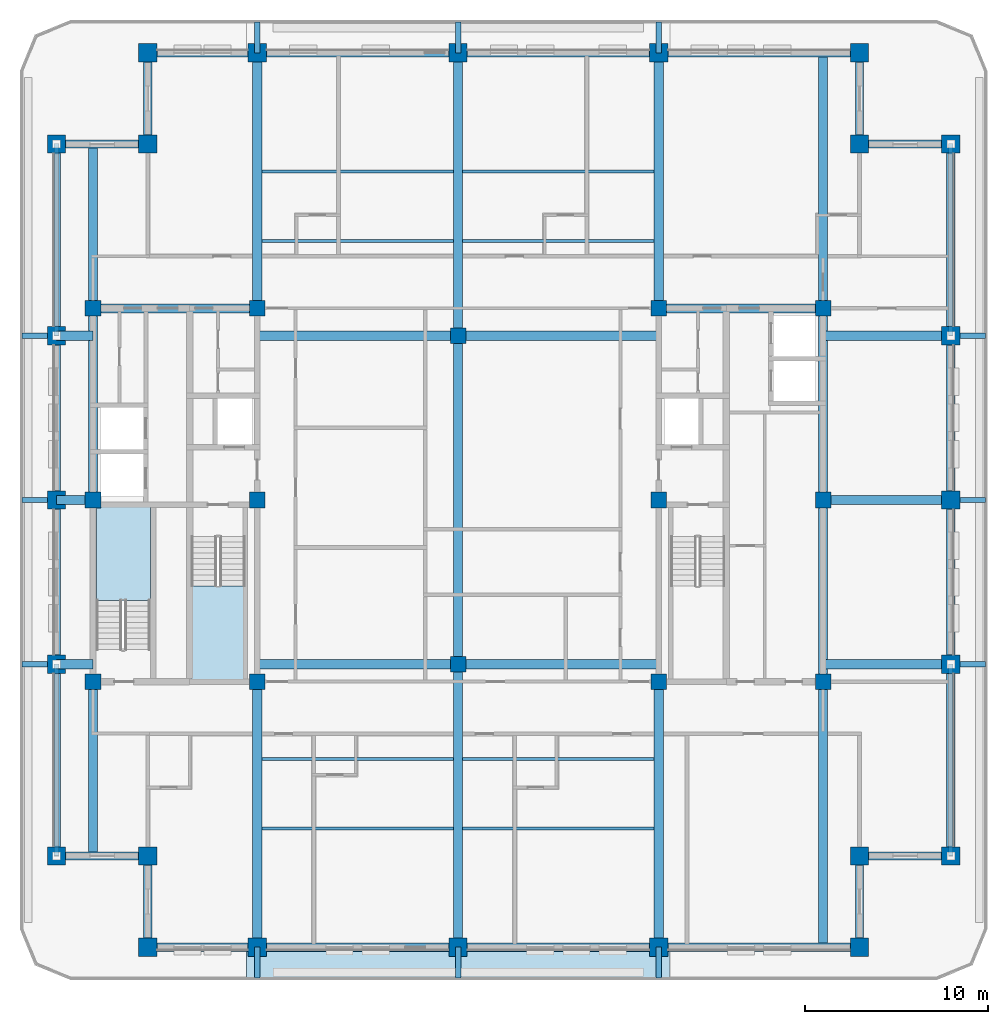
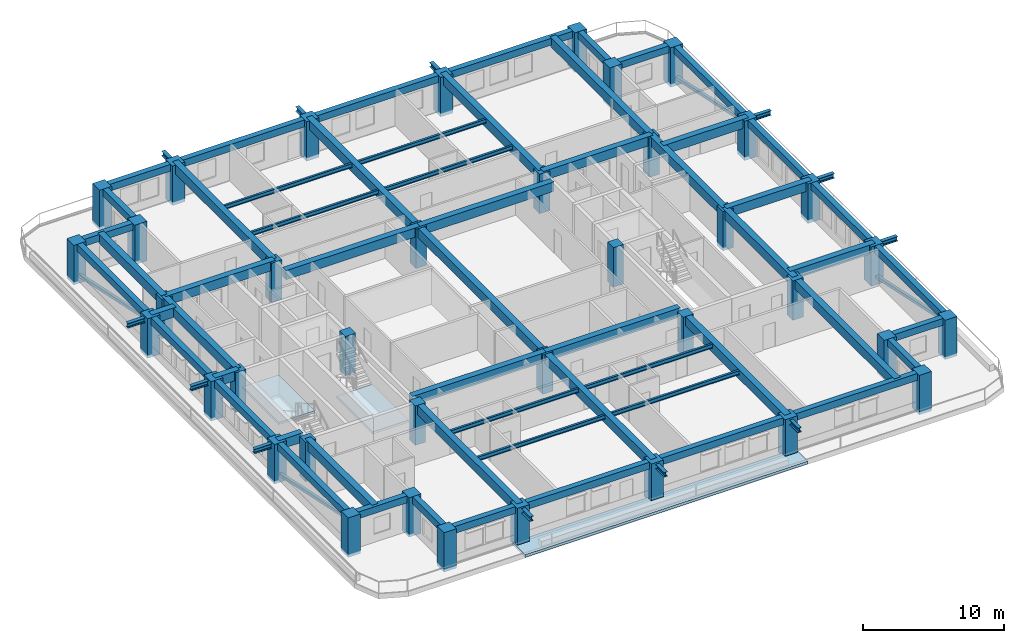
# One storey, part 1 of 13: 70 beams, 38 columns, 4 members, 3 slabs, 2 elements without a shape of their own.
"""IFC4 building model written with IfcOpenShell, lengths in metres."""

import ifcopenshell
import ifcopenshell.guid

model = None  # the IFC model being written
_history = None  # IfcOwnerHistory: only IFC2X3 demands one
_inside = {}  # id of a spatial element -> (the spatial element, [elements in it])
_under = {}  # id of a project, library or spatial element -> (it, [spatial elements below it])
_declared = {}  # id of a project -> (the project, [libraries it declares])
_typed = {}  # id of a type object -> (the type object, [elements of that type])
_made_of = {}  # id of a material, layer set ... -> (it, [elements and type objects made of it])


def new_model(schema):
    """Start an empty IFC model of exactly this schema.

    Asked for "IFC4X3", IfcOpenShell would pick the latest addendum, in which some entities
    have other attributes; the version numbers below select the first issue.
    IFC2X3 requires an IfcOwnerHistory on every rooted entity: one is made here for all.
    """
    global model, _history
    if schema == "IFC4X3":
        model = ifcopenshell.file(schema_version=(4, 3, 0, 0))
    else:
        model = ifcopenshell.file(schema=schema)
    _inside.clear()
    _under.clear()
    _declared.clear()
    _typed.clear()
    _made_of.clear()
    _history = None
    if model.schema == "IFC2X3":
        org = make("IfcOrganization", Name="unknown")
        user = make(
            "IfcPersonAndOrganization",
            ThePerson=make("IfcPerson", FamilyName="unknown"),
            TheOrganization=org,
        )
        app = make(
            "IfcApplication",
            ApplicationDeveloper=org,
            Version="unknown",
            ApplicationFullName="unknown",
            ApplicationIdentifier="unknown",
        )
        _history = make(
            "IfcOwnerHistory",
            OwningUser=user,
            OwningApplication=app,
            ChangeAction="ADDED",
            CreationDate=0,
        )
    return model


def make(cls, **values):
    """One entity of the class cls with the attributes given. An attribute that is None is left unset."""
    return model.create_entity(
        cls, **{name: value for name, value in values.items() if value is not None}
    )


def rooted(cls, **values):
    """An entity with a GlobalId (a new one), such as an element, a storey or a relation."""
    return make(cls, GlobalId=ifcopenshell.guid.new(), OwnerHistory=_history, **values)


def si_unit(unit_type, name, prefix=None):
    """IfcSIUnit, for example si_unit("LENGTHUNIT", "METRE", prefix="MILLI")."""
    return make("IfcSIUnit", UnitType=unit_type, Prefix=prefix, Name=name)


def assignment(units):
    """IfcUnitAssignment: the units of a project."""
    return None if units is None else make("IfcUnitAssignment", Units=units)


def point(xyz):
    """IfcCartesianPoint."""
    return None if xyz is None else make("IfcCartesianPoint", Coordinates=xyz)


def direction(xyz):
    """IfcDirection."""
    return None if xyz is None else make("IfcDirection", DirectionRatios=xyz)


def frame(location, z_axis=None, x_axis=None):
    """IfcAxis2Placement3D, a coordinate frame: its origin and axes. An axis left out is left unset."""
    return make(
        "IfcAxis2Placement3D",
        Location=point(location),
        Axis=direction(z_axis),
        RefDirection=direction(x_axis),
    )


def frame_2d(location, x_axis=None):
    """IfcAxis2Placement2D, a coordinate frame in the plane: its origin and x axis."""
    return make(
        "IfcAxis2Placement2D", Location=point(location), RefDirection=direction(x_axis)
    )


def origin():
    """The frame at (0, 0, 0) with its axes left unset."""
    return frame((0.0, 0.0, 0.0))


def origin_2d():
    """The frame at (0, 0) in the plane with its x axis left unset."""
    return frame_2d((0.0, 0.0))


def place(relative_to, where):
    """IfcLocalPlacement: puts the frame where relative to a parent placement (None: the world)."""
    return make(
        "IfcLocalPlacement", PlacementRelTo=relative_to, RelativePlacement=where
    )


def context(
    kind, dimensions, precision=None, world=None, true_north=None, identifier=None
):
    """IfcGeometricRepresentationContext, for example the 3D "Model" context."""
    return make(
        "IfcGeometricRepresentationContext",
        ContextIdentifier=identifier,
        ContextType=kind,
        CoordinateSpaceDimension=dimensions,
        Precision=precision,
        WorldCoordinateSystem=world,
        TrueNorth=true_north,
    )


def subcontext(parent, identifier, kind, view, scale=None):
    """IfcGeometricRepresentationSubContext, for example "Body" below "Model"."""
    return make(
        "IfcGeometricRepresentationSubContext",
        ContextIdentifier=identifier,
        ContextType=kind,
        ParentContext=parent,
        TargetScale=scale,
        TargetView=view,
    )


def project(units=None, contexts=None):
    """IfcProject with its units and contexts."""
    return rooted(
        "IfcProject",
        Name="project",
        RepresentationContexts=contexts,
        UnitsInContext=assignment(units),
    )


def spatial(cls, under=None, at=None, **own):
    """A site, building, storey or space (cls), placed at a placement, below another one or the project."""
    s = rooted(cls, ObjectPlacement=at, **own)
    if under is not None:
        _under.setdefault(under.id(), (under, []))[1].append(s)
    return s


def polyline(points):
    """IfcPolyline through the points."""
    return make("IfcPolyline", Points=[point(p) for p in points])


def profile(cls, at=None, kind="AREA", **sizes):
    """A parametric profile (cls). Its sizes go by their IFC names, for example OverallWidth=200.0."""
    return make(cls, ProfileType=kind, Position=at, **sizes)


def rectangle(**sizes):
    """IfcRectangleProfileDef."""
    return profile("IfcRectangleProfileDef", **sizes)


def hollow_rectangle(**sizes):
    """IfcRectangleHollowProfileDef."""
    return profile("IfcRectangleHollowProfileDef", **sizes)


def i_section(**sizes):
    """IfcIShapeProfileDef."""
    return profile("IfcIShapeProfileDef", **sizes)


def outline(outer, holes=None, kind="AREA"):
    """IfcArbitraryClosedProfileDef: a profile drawn as a closed curve; with holes, ...WithVoids."""
    if holes is None:
        return make("IfcArbitraryClosedProfileDef", ProfileType=kind, OuterCurve=outer)
    return make(
        "IfcArbitraryProfileDefWithVoids",
        ProfileType=kind,
        OuterCurve=outer,
        InnerCurves=holes,
    )


def extrude(swept, where, along, depth):
    """IfcExtrudedAreaSolid: the profile swept, set in the frame where, extruded along a direction by depth."""
    return make(
        "IfcExtrudedAreaSolid",
        SweptArea=swept,
        Position=where,
        ExtrudedDirection=direction(along),
        Depth=depth,
    )


def shape(context_of_items, identifier, shape_type, items):
    """IfcShapeRepresentation: the items that make up one representation, for example the "Body"."""
    return make(
        "IfcShapeRepresentation",
        ContextOfItems=context_of_items,
        RepresentationIdentifier=identifier,
        RepresentationType=shape_type,
        Items=items,
    )


def material(Name=None, Category=None):
    """IfcMaterial."""
    return make("IfcMaterial", Name=Name, Category=Category)


def layer(
    of_material, thickness, ventilated=None, Name=None, Category=None, Priority=None
):
    """IfcMaterialLayer: one layer of a wall or slab, of a material (None: an air gap)."""
    return make(
        "IfcMaterialLayer",
        Material=of_material,
        LayerThickness=thickness,
        IsVentilated=ventilated,
        Name=Name,
        Category=Category,
        Priority=Priority,
    )


def layer_set(layers, Name=None):
    """IfcMaterialLayerSet."""
    return make("IfcMaterialLayerSet", MaterialLayers=layers, LayerSetName=Name)


def material_profile(
    of_material, cross_section, Name=None, Category=None, Priority=None
):
    """IfcMaterialProfile: a cross section and its material."""
    return make(
        "IfcMaterialProfile",
        Name=Name,
        Material=of_material,
        Profile=cross_section,
        Priority=Priority,
        Category=Category,
    )


def profile_set(profiles, Name=None, composite=None):
    """IfcMaterialProfileSet."""
    return make(
        "IfcMaterialProfileSet",
        Name=Name,
        MaterialProfiles=profiles,
        CompositeProfile=composite,
    )


def made_of(thing, what):
    """Note that an element or type object is made of a material, layer set ...; save() writes the relation."""
    if what is not None:
        _made_of.setdefault(what.id(), (what, []))[1].append(thing)
    return thing


def type_object(cls, material=None, **own):
    """A type object (cls), such as IfcWallType, which elements share."""
    return made_of(rooted(cls, **own), material)


def element(
    cls,
    number,
    at=None,
    inside=None,
    cuts=None,
    type_object=None,
    material=None,
    context=None,
    identifier="Body",
    shape_type=None,
    held_by="IfcProductDefinitionShape",
    body=None,
    shapes=None,
    **own,
):
    """One element of the class cls, such as IfcWall. Its Tag is "e" and its number.

    at: its placement. inside: the storey or other place that contains it. cuts: it is an
    opening in that element (IfcRelVoidsElement). A single representation is given by context,
    identifier, shape_type and body (its items); several are given by shapes. held_by: the class
    of the entity that holds the representations. save() writes the other relations.
    """
    e = rooted(cls, Tag="e%d" % number, ObjectPlacement=at, **own)
    if body is not None:
        shapes = [shape(context, identifier, shape_type, body)]
    if shapes is not None:
        e.Representation = make(held_by, Representations=shapes)
    if inside is not None:
        _inside.setdefault(inside.id(), (inside, []))[1].append(e)
    if cuts is not None:
        rooted(
            "IfcRelVoidsElement", RelatingBuildingElement=cuts, RelatedOpeningElement=e
        )
    if type_object is not None:
        _typed.setdefault(type_object.id(), (type_object, []))[1].append(e)
    return made_of(e, material)


def aggregate(whole, parts):
    """IfcRelAggregates: a whole, such as a stair, and the parts it consists of."""
    return rooted("IfcRelAggregates", RelatingObject=whole, RelatedObjects=parts)


def save(model, path):
    """Write the relations noted so far, then the file.

    IfcRelAggregates (storeys below a building ...), IfcRelContainedInSpatialStructure (elements
    in a storey), IfcRelDefinesByType, IfcRelAssociatesMaterial and IfcRelDeclares: one each for
    every whole, place, type object, material and project.
    """
    for whole, parts in _under.values():
        aggregate(whole, parts)
    for where, things in _inside.values():
        rooted(
            "IfcRelContainedInSpatialStructure",
            RelatedElements=things,
            RelatingStructure=where,
        )
    for kind, things in _typed.values():
        rooted("IfcRelDefinesByType", RelatedObjects=things, RelatingType=kind)
    for what, things in _made_of.values():
        rooted("IfcRelAssociatesMaterial", RelatedObjects=things, RelatingMaterial=what)
    for by, libraries in _declared.values():
        rooted("IfcRelDeclares", RelatingContext=by, RelatedDefinitions=libraries)
    model.write(path)


model = new_model("IFC4")

# Units and contexts
model_context = context("Model", 3, precision=1e-05, world=origin(), true_north=direction((0.0, 1.0)))
body_context = subcontext(model_context, "Body", "Model", "MODEL_VIEW")
ifc_project = project(units=[si_unit("LENGTHUNIT", "METRE"), si_unit("AREAUNIT", "SQUARE_METRE"), si_unit("VOLUMEUNIT", "CUBIC_METRE"), si_unit("PLANEANGLEUNIT", "RADIAN"), si_unit("MASSUNIT", "GRAM", prefix="KILO")], contexts=[model_context])

# Site, building, storey
site_placement = place(None, origin())
site = spatial("IfcSite", under=ifc_project, at=site_placement, CompositionType="ELEMENT")
building_placement = place(site_placement, origin())
building = spatial("IfcBuilding", under=site, at=building_placement, Name="Zulmaris Gate Convention Tower", CompositionType="ELEMENT")
storey_placement = place(building_placement, frame((0.0, 0.0, 176.259765625)))
storey = spatial("IfcBuildingStorey", under=building, at=storey_placement, Name="L45", CompositionType="ELEMENT", Elevation=176.259765625)

# Columns
ifc_material_1 = material(Name="Concrete C60/75", Category="concrete")
ifc_material_profile_1 = material_profile(ifc_material_1, rectangle(XDim=1.0, YDim=1.0, at=origin_2d()), Name="RC COL 1000x1000")
ifc_profile_set_1 = profile_set([ifc_material_profile_1], Name="Concrete C60/75")
column_type_1 = type_object("IfcColumnType", Name="COL-RC1000", PredefinedType="COLUMN", material=ifc_profile_set_1)
for number, where, z_axis, x_axis, name in (
    (1, (-17.0, -24.5, -0.27490234375), (0.0, 0.0, 1.0), (1.0, 0.0, 0.0), "L45 Column PT--17.00_-24.50"),
    (2, (-11.0, -24.5, -0.27490234375), (0.0, 0.0, 1.0), (1.0, 0.0, 0.0), "L45 Column PT--11.00_-24.50"),
    (3, (0.0, -24.5, -0.27490234375), (0.0, 0.0, 1.0), (1.0, 0.0, 0.0), "L45 Column PT-+0.00_-24.50"),
    (4, (11.0, -24.5, -0.27490234375), (0.0, 0.0, 1.0), (1.0, 0.0, 0.0), "L45 Column PT-+11.00_-24.50"),
    (5, (22.0, -24.5, -0.27490234375), (0.0, 0.0, 1.0), (1.0, 0.0, 0.0), "L45 Column PT-+22.00_-24.50"),
    (6, (-17.0, 24.5, -0.27490234375), (0.0, 0.0, 1.0), (1.0, 0.0, 0.0), "L45 Column PT--17.00_+24.50"),
    (7, (-11.0, 24.5, -0.27490234375), (0.0, 0.0, 1.0), (1.0, 0.0, 0.0), "L45 Column PT--11.00_+24.50"),
    (8, (0.0, 24.5, -0.27490234375), (0.0, 0.0, 1.0), (1.0, 0.0, 0.0), "L45 Column PT-+0.00_+24.50"),
    (9, (11.0, 24.5, -0.27490234375), (0.0, 0.0, 1.0), (1.0, 0.0, 0.0), "L45 Column PT-+11.00_+24.50"),
    (10, (22.0, 24.5, -0.27490234375), (0.0, 0.0, 1.0), (1.0, 0.0, 0.0), "L45 Column PT-+22.00_+24.50"),
    (11, (-22.0, -19.5, -0.27490234375), (0.0, 0.0, 1.0), (1.0, 0.0, 0.0), "L45 Column PT--22.00_-19.50"),
    (12, (-22.0, -9.0, -0.27490234375), (0.0, 0.0, 1.0), (1.0, 0.0, 0.0), "L45 Column PT--22.00_-9.00"),
    (13, (-22.0, 0.0, -0.27490234375), (0.0, 0.0, 1.0), (1.0, 0.0, 0.0), "L45 Column PT--22.00_+0.00"),
    (14, (-22.0, 9.0, -0.27490234375), (0.0, 0.0, 1.0), (1.0, 0.0, 0.0), "L45 Column PT--22.00_+9.00"),
    (15, (-22.0, 19.5, -0.27490234375), (0.0, 0.0, 1.0), (1.0, 0.0, 0.0), "L45 Column PT--22.00_+19.50"),
    (16, (27.0, -19.5, -0.27490234375), (0.0, 0.0, 1.0), (1.0, 0.0, 0.0), "L45 Column PT-+27.00_-19.50"),
    (17, (27.0, -9.0, -0.27490234375), (0.0, 0.0, 1.0), (1.0, 0.0, 0.0), "L45 Column PT-+27.00_-9.00"),
    (18, (27.0, 0.0, -0.27490234375), (0.0, 0.0, 1.0), (1.0, 0.0, 0.0), "L45 Column PT-+27.00_+0.00"),
    (19, (27.0, 9.0, -0.27490234375), (0.0, 0.0, 1.0), (1.0, 0.0, 0.0), "L45 Column PT-+27.00_+9.00"),
    (20, (27.0, 19.5, -0.27490234375), (0.0, 0.0, 1.0), (1.0, 0.0, 0.0), "L45 Column PT-+27.00_+19.50"),
    (21, (-17.0, -19.5, -0.27490234375), (0.0, 0.0, 1.0), (1.0, 0.0, 0.0), "L45 Column PT--17.00_-19.50"),
    (22, (22.0, -19.5, -0.27490234375), (0.0, 0.0, 1.0), (1.0, 0.0, 0.0), "L45 Column PT-+22.00_-19.50"),
    (23, (22.0, 19.5, -0.27490234375), (0.0, 0.0, 1.0), (1.0, 0.0, 0.0), "L45 Column PT-+22.00_+19.50"),
    (24, (-17.0, 19.5, -0.27490234375), (0.0, 0.0, 1.0), (1.0, 0.0, 0.0), "L45 Column PT--17.00_+19.50"),
):
    element("IfcColumn", number, at=place(storey_placement, frame(where, z_axis=z_axis, x_axis=x_axis)), inside=storey, type_object=column_type_1, Name=name, PredefinedType="COLUMN", context=body_context, shape_type="SweptSolid", body=[
        extrude(rectangle(XDim=1.0, YDim=1.0, at=origin_2d()), origin(), (0.0, 0.0, 1.0), 3.425048828125),
    ])
ifc_material_profile_2 = material_profile(ifc_material_1, rectangle(XDim=0.85009765625, YDim=0.85009765625, at=origin_2d()), Name="RC COL 850x850")
ifc_profile_set_2 = profile_set([ifc_material_profile_2], Name="Concrete C60/75")
column_type_2 = type_object("IfcColumnType", Name="COL-RC850", PredefinedType="COLUMN", material=ifc_profile_set_2)
for number, where, z_axis, x_axis, name in (
    (25, (-20.0, -9.949951171875, -0.27490234375), (0.0, 0.0, 1.0), (1.0, 0.0, 0.0), "L45 Column IN--20.00_-9.95"),
    (26, (-20.0, 10.5, -0.27490234375), (0.0, 0.0, 1.0), (1.0, 0.0, 0.0), "L45 Column IN--20.00_+10.50"),
    (27, (-11.0, -9.949951171875, -0.27490234375), (0.0, 0.0, 1.0), (1.0, 0.0, 0.0), "L45 Column IN--11.00_-9.95"),
    (28, (-11.0, 0.0, -0.27490234375), (0.0, 0.0, 1.0), (1.0, 0.0, 0.0), "L45 Column IN--11.00_+0.00"),
    (29, (-11.0, 10.5, -0.27490234375), (0.0, 0.0, 1.0), (1.0, 0.0, 0.0), "L45 Column IN--11.00_+10.50"),
    (30, (11.0, -9.949951171875, -0.27490234375), (0.0, 0.0, 1.0), (1.0, 0.0, 0.0), "L45 Column IN-+11.00_-9.95"),
    (31, (11.0, 0.0, -0.27490234375), (0.0, 0.0, 1.0), (1.0, 0.0, 0.0), "L45 Column IN-+11.00_+0.00"),
    (32, (11.0, 10.5, -0.27490234375), (0.0, 0.0, 1.0), (1.0, 0.0, 0.0), "L45 Column IN-+11.00_+10.50"),
    (33, (20.0, -9.949951171875, -0.27490234375), (0.0, 0.0, 1.0), (1.0, 0.0, 0.0), "L45 Column IN-+20.00_-9.95"),
    (34, (20.0, 10.5, -0.27490234375), (0.0, 0.0, 1.0), (1.0, 0.0, 0.0), "L45 Column IN-+20.00_+10.50"),
    (35, (0.0, -9.0, -0.27490234375), (0.0, 0.0, 1.0), (1.0, 0.0, 0.0), "L45 Column IN-+0.00_-9.00"),
    (36, (0.0, 9.0, -0.27490234375), (0.0, 0.0, 1.0), (1.0, 0.0, 0.0), "L45 Column IN-+0.00_+9.00"),
    (37, (-20.0, 0.0, -0.27490234375), (0.0, 0.0, 1.0), (1.0, 0.0, 0.0), "L45 Column IN--20.00_+0.00"),
    (38, (20.0, 0.0, -0.27490234375), (0.0, 0.0, 1.0), (1.0, 0.0, 0.0), "L45 Column IN-+20.00_+0.00"),
):
    element("IfcColumn", number, at=place(storey_placement, frame(where, z_axis=z_axis, x_axis=x_axis)), inside=storey, type_object=column_type_2, Name=name, PredefinedType="COLUMN", context=body_context, shape_type="SweptSolid", body=[
        extrude(rectangle(XDim=0.85009765625, YDim=0.85009765625, at=origin_2d()), origin(), (0.0, 0.0, 1.0), 3.425048828125),
    ])

# Beams
ifc_material_2 = material(Name="Steel S355", Category="steel")
ifc_material_profile_3 = material_profile(ifc_material_2, i_section(OverallWidth=0.300048828125, OverallDepth=0.39990234375, WebThickness=0.013427734375, FlangeThickness=0.02392578125, FilletRadius=0.027099609375, at=origin_2d()), Name="HEB 400")
ifc_profile_set_3 = profile_set([ifc_material_profile_3], Name="Steel S355")
beam_type_1 = type_object("IfcBeamType", Name="BM-HEB400", PredefinedType="BEAM", material=ifc_profile_set_3)
for number, where, z_axis, x_axis, name in (
    (39, (-11.0, -26.199951171875, 2.81005859375), (0.0, 1.0, 0.0), (-1.0, 0.0, 0.0), "L45 Beam TBRK-L45-S--11"),
    (40, (-11.0, 24.5, 2.81005859375), (0.0, 1.0, 0.0), (-1.0, 0.0, 0.0), "L45 Beam TBRK-L45-N--11"),
    (41, (0.0, -26.199951171875, 2.81005859375), (0.0, 1.0, 0.0), (-1.0, 0.0, 0.0), "L45 Beam TBRK-L45-S-+0"),
    (42, (0.0, 24.5, 2.81005859375), (0.0, 1.0, 0.0), (-1.0, 0.0, 0.0), "L45 Beam TBRK-L45-N-+0"),
    (43, (11.0, -26.199951171875, 2.81005859375), (0.0, 1.0, 0.0), (-1.0, 0.0, 0.0), "L45 Beam TBRK-L45-S-+11"),
    (44, (11.0, 24.5, 2.81005859375), (0.0, 1.0, 0.0), (-1.0, 0.0, 0.0), "L45 Beam TBRK-L45-N-+11"),
):
    element("IfcBeam", number, at=place(storey_placement, frame(where, z_axis=z_axis, x_axis=x_axis)), inside=storey, type_object=beam_type_1, Name=name, PredefinedType="BEAM", context=body_context, shape_type="SweptSolid", body=[
        extrude(i_section(OverallWidth=0.300048828125, OverallDepth=0.39990234375, WebThickness=0.013427734375, FlangeThickness=0.02392578125, FilletRadius=0.027099609375, at=origin_2d()), origin(), (0.0, 0.0, 1.0), 1.699951171875),
    ])
for number, where, z_axis, x_axis, name in (
    (45, (-23.89990234375, -9.0, 2.81005859375), (1.0, 0.0, 0.0), (0.0, 1.0, 0.0), "L45 Beam TBRK-L45-W--9"),
    (46, (27.0, -9.0, 2.81005859375), (1.0, 0.0, 0.0), (0.0, 1.0, 0.0), "L45 Beam TBRK-L45-E--9"),
    (47, (-23.89990234375, 0.0, 2.81005859375), (1.0, 0.0, 0.0), (0.0, 1.0, 0.0), "L45 Beam TBRK-L45-W-+0"),
    (48, (27.0, 0.0, 2.81005859375), (1.0, 0.0, 0.0), (0.0, 1.0, 0.0), "L45 Beam TBRK-L45-E-+0"),
    (49, (-23.89990234375, 9.0, 2.81005859375), (1.0, 0.0, 0.0), (0.0, 1.0, 0.0), "L45 Beam TBRK-L45-W-+9"),
    (50, (27.0, 9.0, 2.81005859375), (1.0, 0.0, 0.0), (0.0, 1.0, 0.0), "L45 Beam TBRK-L45-E-+9"),
):
    element("IfcBeam", number, at=place(storey_placement, frame(where, z_axis=z_axis, x_axis=x_axis)), inside=storey, type_object=beam_type_1, Name=name, PredefinedType="BEAM", context=body_context, shape_type="SweptSolid", body=[
        extrude(i_section(OverallWidth=0.300048828125, OverallDepth=0.39990234375, WebThickness=0.013427734375, FlangeThickness=0.02392578125, FilletRadius=0.027099609375, at=origin_2d()), origin(), (0.0, 0.0, 1.0), 1.89990234375),
    ])
ifc_material_3 = material(Name="Concrete C50/60", Category="concrete")
ifc_material_profile_4 = material_profile(ifc_material_3, rectangle(XDim=0.5, YDim=0.800048828125, at=origin_2d()), Name="RC BEAM 500x800")
ifc_profile_set_4 = profile_set([ifc_material_profile_4], Name="Concrete C50/60")
beam_type_2 = type_object("IfcBeamType", Name="BM-RC500x800", PredefinedType="BEAM", material=ifc_profile_set_4)
for number, where, z_axis, x_axis, name in (
    (51, (-11.0, -9.0, 2.750244140625), (1.0, 0.0, 0.0), (0.0, 1.0, 0.0), "L45 Beam BM-L45-G01"),
    (52, (0.0, -9.0, 2.750244140625), (1.0, 0.0, 0.0), (0.0, 1.0, 0.0), "L45 Beam BM-L45-G02"),
    (53, (-11.0, 9.0, 2.750244140625), (1.0, 0.0, 0.0), (0.0, 1.0, 0.0), "L45 Beam BM-L45-G03"),
    (54, (0.0, 9.0, 2.750244140625), (1.0, 0.0, 0.0), (0.0, 1.0, 0.0), "L45 Beam BM-L45-G04"),
):
    element("IfcBeam", number, at=place(storey_placement, frame(where, z_axis=z_axis, x_axis=x_axis)), inside=storey, type_object=beam_type_2, Name=name, PredefinedType="BEAM", context=body_context, shape_type="SweptSolid", body=[
        extrude(rectangle(XDim=0.5, YDim=0.800048828125, at=origin_2d()), origin(), (0.0, 0.0, 1.0), 11.0),
    ])
beam_1_placement = place(storey_placement, frame((0.0, -24.5, 2.750244140625), z_axis=(0.0, 1.0, 0.0), x_axis=(-1.0, 0.0, 0.0)))
element("IfcBeam", 55, at=beam_1_placement, inside=storey, type_object=beam_type_2, Name="L45 Beam BM-L45-G05", PredefinedType="BEAM", context=body_context, shape_type="SweptSolid", body=[
    extrude(rectangle(XDim=0.5, YDim=0.800048828125, at=origin_2d()), origin(), (0.0, 0.0, 1.0), 15.5),
])
beam_2_placement = place(storey_placement, frame((0.0, -9.0, 2.750244140625), z_axis=(0.0, 1.0, 0.0), x_axis=(-1.0, 0.0, 0.0)))
element("IfcBeam", 56, at=beam_2_placement, inside=storey, type_object=beam_type_2, Name="L45 Beam BM-L45-G06", PredefinedType="BEAM", context=body_context, shape_type="SweptSolid", body=[
    extrude(rectangle(XDim=0.5, YDim=0.800048828125, at=origin_2d()), origin(), (0.0, 0.0, 1.0), 18.0),
])
beam_3_placement = place(storey_placement, frame((0.0, 9.0, 2.750244140625), z_axis=(0.0, 1.0, 0.0), x_axis=(-1.0, 0.0, 0.0)))
element("IfcBeam", 57, at=beam_3_placement, inside=storey, type_object=beam_type_2, Name="L45 Beam BM-L45-G07", PredefinedType="BEAM", context=body_context, shape_type="SweptSolid", body=[
    extrude(rectangle(XDim=0.5, YDim=0.800048828125, at=origin_2d()), origin(), (0.0, 0.0, 1.0), 15.5),
])
beam_4_placement = place(storey_placement, frame((-11.0, -24.5, 2.750244140625), z_axis=(0.0, 1.0, 0.0), x_axis=(-1.0, 0.0, 0.0)))
element("IfcBeam", 58, at=beam_4_placement, inside=storey, type_object=beam_type_2, Name="L45 Beam BM-L45-G08", PredefinedType="BEAM", context=body_context, shape_type="SweptSolid", body=[
    extrude(rectangle(XDim=0.5, YDim=0.800048828125, at=origin_2d()), origin(), (0.0, 0.0, 1.0), 14.550048828125),
])
beam_5_placement = place(storey_placement, frame((-11.0, 10.5, 2.750244140625), z_axis=(0.0, 1.0, 0.0), x_axis=(-1.0, 0.0, 0.0)))
element("IfcBeam", 59, at=beam_5_placement, inside=storey, type_object=beam_type_2, Name="L45 Beam BM-L45-G09", PredefinedType="BEAM", context=body_context, shape_type="SweptSolid", body=[
    extrude(rectangle(XDim=0.5, YDim=0.800048828125, at=origin_2d()), origin(), (0.0, 0.0, 1.0), 14.0),
])
beam_6_placement = place(storey_placement, frame((11.0, -24.5, 2.750244140625), z_axis=(0.0, 1.0, 0.0), x_axis=(-1.0, 0.0, 0.0)))
element("IfcBeam", 60, at=beam_6_placement, inside=storey, type_object=beam_type_2, Name="L45 Beam BM-L45-G10", PredefinedType="BEAM", context=body_context, shape_type="SweptSolid", body=[
    extrude(rectangle(XDim=0.5, YDim=0.800048828125, at=origin_2d()), origin(), (0.0, 0.0, 1.0), 14.550048828125),
])
beam_7_placement = place(storey_placement, frame((11.0, 10.5, 2.750244140625), z_axis=(0.0, 1.0, 0.0), x_axis=(-1.0, 0.0, 0.0)))
element("IfcBeam", 61, at=beam_7_placement, inside=storey, type_object=beam_type_2, Name="L45 Beam BM-L45-G11", PredefinedType="BEAM", context=body_context, shape_type="SweptSolid", body=[
    extrude(rectangle(XDim=0.5, YDim=0.800048828125, at=origin_2d()), origin(), (0.0, 0.0, 1.0), 14.0),
])
beam_8_placement = place(storey_placement, frame((-20.0, -19.5, 2.750244140625), z_axis=(0.0, 1.0, 0.0), x_axis=(-1.0, 0.0, 0.0)))
element("IfcBeam", 62, at=beam_8_placement, inside=storey, type_object=beam_type_2, Name="L45 Beam BM-L45-G12", PredefinedType="BEAM", context=body_context, shape_type="SweptSolid", body=[
    extrude(rectangle(XDim=0.5, YDim=0.800048828125, at=origin_2d()), origin(), (0.0, 0.0, 1.0), 9.550048828125),
])
beam_9_placement = place(storey_placement, frame((-20.0, 10.5, 2.750244140625), z_axis=(0.0, 1.0, 0.0), x_axis=(-1.0, 0.0, 0.0)))
element("IfcBeam", 63, at=beam_9_placement, inside=storey, type_object=beam_type_2, Name="L45 Beam BM-L45-G13", PredefinedType="BEAM", context=body_context, shape_type="SweptSolid", body=[
    extrude(rectangle(XDim=0.5, YDim=0.800048828125, at=origin_2d()), origin(), (0.0, 0.0, 1.0), 9.0),
])
beam_10_placement = place(storey_placement, frame((20.0, -24.5, 2.750244140625), z_axis=(0.0, 1.0, 0.0), x_axis=(-1.0, 0.0, 0.0)))
element("IfcBeam", 64, at=beam_10_placement, inside=storey, type_object=beam_type_2, Name="L45 Beam BM-L45-G14", PredefinedType="BEAM", context=body_context, shape_type="SweptSolid", body=[
    extrude(rectangle(XDim=0.5, YDim=0.800048828125, at=origin_2d()), origin(), (0.0, 0.0, 1.0), 14.550048828125),
])
beam_11_placement = place(storey_placement, frame((20.0, 10.5, 2.750244140625), z_axis=(0.0, 1.0, 0.0), x_axis=(-1.0, 0.0, 0.0)))
element("IfcBeam", 65, at=beam_11_placement, inside=storey, type_object=beam_type_2, Name="L45 Beam BM-L45-G15", PredefinedType="BEAM", context=body_context, shape_type="SweptSolid", body=[
    extrude(rectangle(XDim=0.5, YDim=0.800048828125, at=origin_2d()), origin(), (0.0, 0.0, 1.0), 14.0),
])
for number, where, z_axis, x_axis, name in (
    (66, (-22.0, -9.0, 2.750244140625), (1.0, 0.0, 0.0), (0.0, 1.0, 0.0), "L45 Beam BM-L45-G16"),
    (67, (-22.0, 0.0, 2.750244140625), (1.0, 0.0, 0.0), (0.0, 1.0, 0.0), "L45 Beam BM-L45-G17"),
    (68, (-22.0, 9.0, 2.750244140625), (1.0, 0.0, 0.0), (0.0, 1.0, 0.0), "L45 Beam BM-L45-G18"),
):
    element("IfcBeam", number, at=place(storey_placement, frame(where, z_axis=z_axis, x_axis=x_axis)), inside=storey, type_object=beam_type_2, Name=name, PredefinedType="BEAM", context=body_context, shape_type="SweptSolid", body=[
        extrude(rectangle(XDim=0.5, YDim=0.800048828125, at=origin_2d()), origin(), (0.0, 0.0, 1.0), 2.0),
    ])
for number, where, z_axis, x_axis, name in (
    (69, (20.0, -9.0, 2.750244140625), (1.0, 0.0, 0.0), (0.0, 1.0, 0.0), "L45 Beam BM-L45-G19"),
    (70, (20.0, 0.0, 2.750244140625), (1.0, 0.0, 0.0), (0.0, 1.0, 0.0), "L45 Beam BM-L45-G20"),
    (71, (20.0, 9.0, 2.750244140625), (1.0, 0.0, 0.0), (0.0, 1.0, 0.0), "L45 Beam BM-L45-G21"),
):
    element("IfcBeam", number, at=place(storey_placement, frame(where, z_axis=z_axis, x_axis=x_axis)), inside=storey, type_object=beam_type_2, Name=name, PredefinedType="BEAM", context=body_context, shape_type="SweptSolid", body=[
        extrude(rectangle(XDim=0.5, YDim=0.800048828125, at=origin_2d()), origin(), (0.0, 0.0, 1.0), 7.0),
    ])
for number, where, z_axis, x_axis, name in (
    (72, (-20.0, 10.5, 2.750244140625), (1.0, 0.0, 0.0), (0.0, 1.0, 0.0), "L45 Beam BM-L45-G23"),
    (73, (11.0, 10.5, 2.750244140625), (1.0, 0.0, 0.0), (0.0, 1.0, 0.0), "L45 Beam BM-L45-G25"),
):
    element("IfcBeam", number, at=place(storey_placement, frame(where, z_axis=z_axis, x_axis=x_axis)), inside=storey, type_object=beam_type_2, Name=name, PredefinedType="BEAM", context=body_context, shape_type="SweptSolid", body=[
        extrude(rectangle(XDim=0.5, YDim=0.800048828125, at=origin_2d()), origin(), (0.0, 0.0, 1.0), 9.0),
    ])
beam_12_placement = place(storey_placement, frame((-20.0, 0.0, 2.750244140625), z_axis=(0.0, 1.0, 0.0), x_axis=(-1.0, 0.0, 0.0)))
element("IfcBeam", 74, at=beam_12_placement, inside=storey, type_object=beam_type_2, Name="L45 Beam BM-L45-G27", PredefinedType="BEAM", context=body_context, shape_type="SweptSolid", body=[
    extrude(rectangle(XDim=0.5, YDim=0.800048828125, at=origin_2d()), origin(), (0.0, 0.0, 1.0), 10.5),
])
beam_13_placement = place(storey_placement, frame((20.0, -9.949951171875, 2.750244140625), z_axis=(0.0, 1.0, 0.0), x_axis=(-1.0, 0.0, 0.0)))
element("IfcBeam", 75, at=beam_13_placement, inside=storey, type_object=beam_type_2, Name="L45 Beam BM-L45-G28", PredefinedType="BEAM", context=body_context, shape_type="SweptSolid", body=[
    extrude(rectangle(XDim=0.5, YDim=0.800048828125, at=origin_2d()), origin(), (0.0, 0.0, 1.0), 9.949951171875),
])
beam_14_placement = place(storey_placement, frame((20.0, 0.0, 2.750244140625), z_axis=(0.0, 1.0, 0.0), x_axis=(-1.0, 0.0, 0.0)))
element("IfcBeam", 76, at=beam_14_placement, inside=storey, type_object=beam_type_2, Name="L45 Beam BM-L45-G29", PredefinedType="BEAM", context=body_context, shape_type="SweptSolid", body=[
    extrude(rectangle(XDim=0.5, YDim=0.800048828125, at=origin_2d()), origin(), (0.0, 0.0, 1.0), 10.5),
])
ifc_material_4 = material(Name="Precast concrete C50/60", Category="concrete")
ifc_material_profile_5 = material_profile(ifc_material_4, rectangle(XDim=0.449951171875, YDim=0.60009765625, at=origin_2d()), Name="RC SPANDREL 450x600")
ifc_profile_set_5 = profile_set([ifc_material_profile_5], Name="Precast concrete C50/60")
beam_type_3 = type_object("IfcBeamType", Name="BM-SP450x600", PredefinedType="SPANDREL", material=ifc_profile_set_5)
beam_15_placement = place(storey_placement, frame((-17.0, -24.5, 2.85009765625), z_axis=(1.0, 0.0, 0.0), x_axis=(0.0, 1.0, 0.0)))
element("IfcBeam", 77, at=beam_15_placement, inside=storey, type_object=beam_type_3, Name="L45 Spandrel SP-L45-01", PredefinedType="SPANDREL", context=body_context, shape_type="SweptSolid", body=[
    extrude(rectangle(XDim=0.449951171875, YDim=0.60009765625, at=origin_2d()), origin(), (0.0, 0.0, 1.0), 6.0),
])
for number, where, z_axis, x_axis, name in (
    (78, (-11.0, -24.5, 2.85009765625), (1.0, 0.0, 0.0), (0.0, 1.0, 0.0), "L45 Spandrel SP-L45-02"),
    (79, (0.0, -24.5, 2.85009765625), (1.0, 0.0, 0.0), (0.0, 1.0, 0.0), "L45 Spandrel SP-L45-03"),
    (80, (11.0, -24.5, 2.85009765625), (1.0, 0.0, 0.0), (0.0, 1.0, 0.0), "L45 Spandrel SP-L45-04"),
):
    element("IfcBeam", number, at=place(storey_placement, frame(where, z_axis=z_axis, x_axis=x_axis)), inside=storey, type_object=beam_type_3, Name=name, PredefinedType="SPANDREL", context=body_context, shape_type="SweptSolid", body=[
        extrude(rectangle(XDim=0.449951171875, YDim=0.60009765625, at=origin_2d()), origin(), (0.0, 0.0, 1.0), 11.0),
    ])
for number, where, z_axis, x_axis, name in (
    (81, (22.0, -24.5, 2.85009765625), (0.0, 1.0, 0.0), (-1.0, 0.0, 0.0), "L45 Spandrel SP-L45-05"),
    (82, (22.0, -19.5, 2.85009765625), (1.0, 0.0, 0.0), (0.0, 1.0, 0.0), "L45 Spandrel SP-L45-06"),
):
    element("IfcBeam", number, at=place(storey_placement, frame(where, z_axis=z_axis, x_axis=x_axis)), inside=storey, type_object=beam_type_3, Name=name, PredefinedType="SPANDREL", context=body_context, shape_type="SweptSolid", body=[
        extrude(rectangle(XDim=0.449951171875, YDim=0.60009765625, at=origin_2d()), origin(), (0.0, 0.0, 1.0), 5.0),
    ])
beam_16_placement = place(storey_placement, frame((27.0, -19.5, 2.85009765625), z_axis=(0.0, 1.0, 0.0), x_axis=(-1.0, 0.0, 0.0)))
element("IfcBeam", 83, at=beam_16_placement, inside=storey, type_object=beam_type_3, Name="L45 Spandrel SP-L45-07", PredefinedType="SPANDREL", context=body_context, shape_type="SweptSolid", body=[
    extrude(rectangle(XDim=0.449951171875, YDim=0.60009765625, at=origin_2d()), origin(), (0.0, 0.0, 1.0), 10.5),
])
for number, where, z_axis, x_axis, name in (
    (84, (27.0, -9.0, 2.85009765625), (0.0, 1.0, 0.0), (-1.0, 0.0, 0.0), "L45 Spandrel SP-L45-08"),
    (85, (27.0, 0.0, 2.85009765625), (0.0, 1.0, 0.0), (-1.0, 0.0, 0.0), "L45 Spandrel SP-L45-09"),
):
    element("IfcBeam", number, at=place(storey_placement, frame(where, z_axis=z_axis, x_axis=x_axis)), inside=storey, type_object=beam_type_3, Name=name, PredefinedType="SPANDREL", context=body_context, shape_type="SweptSolid", body=[
        extrude(rectangle(XDim=0.449951171875, YDim=0.60009765625, at=origin_2d()), origin(), (0.0, 0.0, 1.0), 9.0),
    ])
beam_17_placement = place(storey_placement, frame((27.0, 9.0, 2.85009765625), z_axis=(0.0, 1.0, 0.0), x_axis=(-1.0, 0.0, 0.0)))
element("IfcBeam", 86, at=beam_17_placement, inside=storey, type_object=beam_type_3, Name="L45 Spandrel SP-L45-10", PredefinedType="SPANDREL", context=body_context, shape_type="SweptSolid", body=[
    extrude(rectangle(XDim=0.449951171875, YDim=0.60009765625, at=origin_2d()), origin(), (0.0, 0.0, 1.0), 10.5),
])
for number, where, z_axis, x_axis, name in (
    (87, (27.0, 19.5, 2.85009765625), (-1.0, 0.0, 0.0), (0.0, -1.0, 0.0), "L45 Spandrel SP-L45-11"),
    (88, (22.0, 19.5, 2.85009765625), (0.0, 1.0, 0.0), (-1.0, 0.0, 0.0), "L45 Spandrel SP-L45-12"),
):
    element("IfcBeam", number, at=place(storey_placement, frame(where, z_axis=z_axis, x_axis=x_axis)), inside=storey, type_object=beam_type_3, Name=name, PredefinedType="SPANDREL", context=body_context, shape_type="SweptSolid", body=[
        extrude(rectangle(XDim=0.449951171875, YDim=0.60009765625, at=origin_2d()), origin(), (0.0, 0.0, 1.0), 5.0),
    ])
for number, where, z_axis, x_axis, name in (
    (89, (22.0, 24.5, 2.85009765625), (-1.0, 0.0, 0.0), (0.0, -1.0, 0.0), "L45 Spandrel SP-L45-13"),
    (90, (11.0, 24.5, 2.85009765625), (-1.0, 0.0, 0.0), (0.0, -1.0, 0.0), "L45 Spandrel SP-L45-14"),
    (91, (0.0, 24.5, 2.85009765625), (-1.0, 0.0, 0.0), (0.0, -1.0, 0.0), "L45 Spandrel SP-L45-15"),
):
    element("IfcBeam", number, at=place(storey_placement, frame(where, z_axis=z_axis, x_axis=x_axis)), inside=storey, type_object=beam_type_3, Name=name, PredefinedType="SPANDREL", context=body_context, shape_type="SweptSolid", body=[
        extrude(rectangle(XDim=0.449951171875, YDim=0.60009765625, at=origin_2d()), origin(), (0.0, 0.0, 1.0), 11.0),
    ])
beam_18_placement = place(storey_placement, frame((-11.0, 24.5, 2.85009765625), z_axis=(-1.0, 0.0, 0.0), x_axis=(0.0, -1.0, 0.0)))
element("IfcBeam", 92, at=beam_18_placement, inside=storey, type_object=beam_type_3, Name="L45 Spandrel SP-L45-16", PredefinedType="SPANDREL", context=body_context, shape_type="SweptSolid", body=[
    extrude(rectangle(XDim=0.449951171875, YDim=0.60009765625, at=origin_2d()), origin(), (0.0, 0.0, 1.0), 6.0),
])
for number, where, z_axis, x_axis, name in (
    (93, (-17.0, 24.5, 2.85009765625), (0.0, -1.0, 0.0), (1.0, 0.0, 0.0), "L45 Spandrel SP-L45-17"),
    (94, (-17.0, 19.5, 2.85009765625), (-1.0, 0.0, 0.0), (0.0, -1.0, 0.0), "L45 Spandrel SP-L45-18"),
):
    element("IfcBeam", number, at=place(storey_placement, frame(where, z_axis=z_axis, x_axis=x_axis)), inside=storey, type_object=beam_type_3, Name=name, PredefinedType="SPANDREL", context=body_context, shape_type="SweptSolid", body=[
        extrude(rectangle(XDim=0.449951171875, YDim=0.60009765625, at=origin_2d()), origin(), (0.0, 0.0, 1.0), 5.0),
    ])
beam_19_placement = place(storey_placement, frame((-22.0, 19.5, 2.85009765625), z_axis=(0.0, -1.0, 0.0), x_axis=(1.0, 0.0, 0.0)))
element("IfcBeam", 95, at=beam_19_placement, inside=storey, type_object=beam_type_3, Name="L45 Spandrel SP-L45-19", PredefinedType="SPANDREL", context=body_context, shape_type="SweptSolid", body=[
    extrude(rectangle(XDim=0.449951171875, YDim=0.60009765625, at=origin_2d()), origin(), (0.0, 0.0, 1.0), 10.5),
])
for number, where, z_axis, x_axis, name in (
    (96, (-22.0, 9.0, 2.85009765625), (0.0, -1.0, 0.0), (1.0, 0.0, 0.0), "L45 Spandrel SP-L45-20"),
    (97, (-22.0, 0.0, 2.85009765625), (0.0, -1.0, 0.0), (1.0, 0.0, 0.0), "L45 Spandrel SP-L45-21"),
):
    element("IfcBeam", number, at=place(storey_placement, frame(where, z_axis=z_axis, x_axis=x_axis)), inside=storey, type_object=beam_type_3, Name=name, PredefinedType="SPANDREL", context=body_context, shape_type="SweptSolid", body=[
        extrude(rectangle(XDim=0.449951171875, YDim=0.60009765625, at=origin_2d()), origin(), (0.0, 0.0, 1.0), 9.0),
    ])
beam_20_placement = place(storey_placement, frame((-22.0, -9.0, 2.85009765625), z_axis=(0.0, -1.0, 0.0), x_axis=(1.0, 0.0, 0.0)))
element("IfcBeam", 98, at=beam_20_placement, inside=storey, type_object=beam_type_3, Name="L45 Spandrel SP-L45-22", PredefinedType="SPANDREL", context=body_context, shape_type="SweptSolid", body=[
    extrude(rectangle(XDim=0.449951171875, YDim=0.60009765625, at=origin_2d()), origin(), (0.0, 0.0, 1.0), 10.5),
])
for number, where, z_axis, x_axis, name in (
    (99, (-22.0, -19.5, 2.85009765625), (1.0, 0.0, 0.0), (0.0, 1.0, 0.0), "L45 Spandrel SP-L45-23"),
    (100, (-17.0, -19.5, 2.85009765625), (0.0, -1.0, 0.0), (1.0, 0.0, 0.0), "L45 Spandrel SP-L45-24"),
):
    element("IfcBeam", number, at=place(storey_placement, frame(where, z_axis=z_axis, x_axis=x_axis)), inside=storey, type_object=beam_type_3, Name=name, PredefinedType="SPANDREL", context=body_context, shape_type="SweptSolid", body=[
        extrude(rectangle(XDim=0.449951171875, YDim=0.60009765625, at=origin_2d()), origin(), (0.0, 0.0, 1.0), 5.0),
    ])

# Members
ifc_material_profile_6 = material_profile(ifc_material_2, hollow_rectangle(XDim=0.25, YDim=0.25, WallThickness=0.012451171875, at=origin_2d()), Name="SHS 250x250x12.5")
ifc_profile_set_6 = profile_set([ifc_material_profile_6], Name="Steel S355")
member_type = type_object("IfcMemberType", Name="BR-SHS250", PredefinedType="BRACE", material=ifc_profile_set_6)
for number, where, z_axis, x_axis, name in (
    (101, (-22.0, -9.0, 0.300048828125), (0.0, -0.978182890872, 0.20774559443), (1.0, 0.0, 0.0), "L45 Perimeter Tube Diagonal SW-W"),
    (102, (-22.0, 19.5, 0.300048828125), (0.0, -0.978182890872, 0.20774559443), (1.0, 0.0, 0.0), "L45 Perimeter Tube Diagonal NW-W"),
    (103, (27.0, -9.0, 0.300048828125), (0.0, -0.978182890872, 0.20774559443), (1.0, 0.0, 0.0), "L45 Perimeter Tube Diagonal SE-E"),
    (104, (27.0, 19.5, 0.300048828125), (0.0, -0.978182890872, 0.20774559443), (1.0, 0.0, 0.0), "L45 Perimeter Tube Diagonal NE-E"),
):
    element("IfcMember", number, at=place(storey_placement, frame(where, z_axis=z_axis, x_axis=x_axis)), inside=storey, type_object=member_type, Name=name, PredefinedType="BRACE", context=body_context, shape_type="SweptSolid", body=[
        extrude(hollow_rectangle(XDim=0.25, YDim=0.25, WallThickness=0.012451171875, at=origin_2d()), origin(), (0.0, 0.0, 1.0), 10.734130859375),
    ])

# Beams
ifc_material_profile_7 = material_profile(ifc_material_2, i_section(OverallWidth=0.169921875, OverallDepth=0.360107421875, WebThickness=0.008056640625, FlangeThickness=0.0126953125, FilletRadius=0.01806640625, at=origin_2d()), Name="IPE 360")
ifc_profile_set_7 = profile_set([ifc_material_profile_7], Name="Steel S355")
beam_type_4 = type_object("IfcBeamType", Name="JT-IPE360", PredefinedType="JOIST", material=ifc_profile_set_7)
for number, where, z_axis, x_axis, name in (
    (105, (-10.75, -18.0, 2.968017578125), (1.0, 0.0, 0.0), (0.0, 1.0, 0.0), "L45 Joist JT-L45-CW--18.0"),
    (106, (0.25, -18.0, 2.968017578125), (1.0, 0.0, 0.0), (0.0, 1.0, 0.0), "L45 Joist JT-L45-CE--18.0"),
    (107, (-10.75, -14.199951171875, 2.968017578125), (1.0, 0.0, 0.0), (0.0, 1.0, 0.0), "L45 Joist JT-L45-CW--14.2"),
    (108, (0.25, -14.199951171875, 2.968017578125), (1.0, 0.0, 0.0), (0.0, 1.0, 0.0), "L45 Joist JT-L45-CE--14.2"),
    (109, (-10.75, 14.199951171875, 2.968017578125), (1.0, 0.0, 0.0), (0.0, 1.0, 0.0), "L45 Joist JT-L45-CW-+14.2"),
    (110, (0.25, 14.199951171875, 2.968017578125), (1.0, 0.0, 0.0), (0.0, 1.0, 0.0), "L45 Joist JT-L45-CE-+14.2"),
    (111, (-10.75, 18.0, 2.968017578125), (1.0, 0.0, 0.0), (0.0, 1.0, 0.0), "L45 Joist JT-L45-CW-+18.0"),
    (112, (0.25, 18.0, 2.968017578125), (1.0, 0.0, 0.0), (0.0, 1.0, 0.0), "L45 Joist JT-L45-CE-+18.0"),
):
    element("IfcBeam", number, at=place(storey_placement, frame(where, z_axis=z_axis, x_axis=x_axis)), inside=storey, type_object=beam_type_4, Name=name, PredefinedType="JOIST", context=body_context, shape_type="SweptSolid", body=[
        extrude(i_section(OverallWidth=0.169921875, OverallDepth=0.360107421875, WebThickness=0.008056640625, FlangeThickness=0.0126953125, FilletRadius=0.01806640625, at=origin_2d()), origin(), (0.0, 0.0, 1.0), 10.5),
    ])

# Slab
ifc_layer_1 = layer(ifc_material_4, 0.239990234375, Name="Precast concrete C50/60")
ifc_layer_set_1 = layer_set([ifc_layer_1], Name="Precast concrete C50/60")
slab_type_1 = type_object("IfcSlabType", Name="SL-BAL-240", PredefinedType="FLOOR", material=ifc_layer_set_1)
slab_1_placement = place(storey_placement, frame((0.0, 0.0, -0.27490234375)))
element("IfcSlab", 113, at=slab_1_placement, inside=storey, type_object=slab_type_1, Name="L45 South Tree-Balcony Planter Slab", PredefinedType="FLOOR", context=body_context, shape_type="SweptSolid", body=[
    extrude(outline(polyline([(-11.597900390625, -26.300048828125), (-11.597900390625, -24.5), (11.597900390625, -24.5), (11.597900390625, -26.300048828125), (-11.597900390625, -26.300048828125)])), origin(), (0.0, 0.0, 1.0), 0.239990234375),
])

# Stair, slab
ifc_material_5 = material(Name="Concrete C45/55", Category="concrete")
stair_type = type_object("IfcStairType", Name="ST-CORE-DOGLEG", PredefinedType="HALF_TURN_STAIR", material=ifc_material_5)
stair_1_placement = place(storey_placement, origin())
stair_1 = element("IfcStair", 114, at=stair_1_placement, inside=storey, type_object=stair_type, Name="L45 Core Exit Stair ST-1", PredefinedType="HALF_TURN_STAIR")
ifc_layer_2 = layer(ifc_material_5, 0.199951171875, Name="Concrete C45/55")
ifc_layer_set_2 = layer_set([ifc_layer_2], Name="Concrete C45/55")
slab_type_2 = type_object("IfcSlabType", Name="SL-LND-200", PredefinedType="LANDING", material=ifc_layer_set_2)
slab_2_placement = place(storey_placement, frame((0.0, 0.0, 1.5)))
slab_2 = element("IfcSlab", 115, at=slab_2_placement, type_object=slab_type_2, Name="ST-1 landing 1", PredefinedType="LANDING", context=body_context, shape_type="SweptSolid", body=[
    extrude(outline(polyline([(-14.6201171875, -4.699951171875), (-14.6201171875, -9.85009765625), (-11.659912109375, -9.85009765625), (-11.659912109375, -4.699951171875), (-14.6201171875, -4.699951171875)])), origin(), (0.0, 0.0, 1.0), 0.2001953125),
])
aggregate(stair_1, [slab_2])

stair_2_placement = place(storey_placement, origin())
stair_2 = element("IfcStair", 116, at=stair_2_placement, inside=storey, type_object=stair_type, Name="L45 Core Exit Stair ST-3", PredefinedType="HALF_TURN_STAIR")
slab_3_placement = place(storey_placement, frame((0.0, 0.0, 1.5)))
slab_3 = element("IfcSlab", 117, at=slab_3_placement, type_object=slab_type_2, Name="ST-3 landing 1", PredefinedType="LANDING", context=body_context, shape_type="SweptSolid", body=[
    extrude(outline(polyline([(-16.860107421875, -5.5), (-16.860107421875, -0.35009765625), (-19.820068359375, -0.35009765625), (-19.820068359375, -5.5), (-16.860107421875, -5.5)])), origin(), (0.0, 0.0, 1.0), 0.2001953125),
])
aggregate(stair_2, [slab_3])

save(model, "model.ifc")
